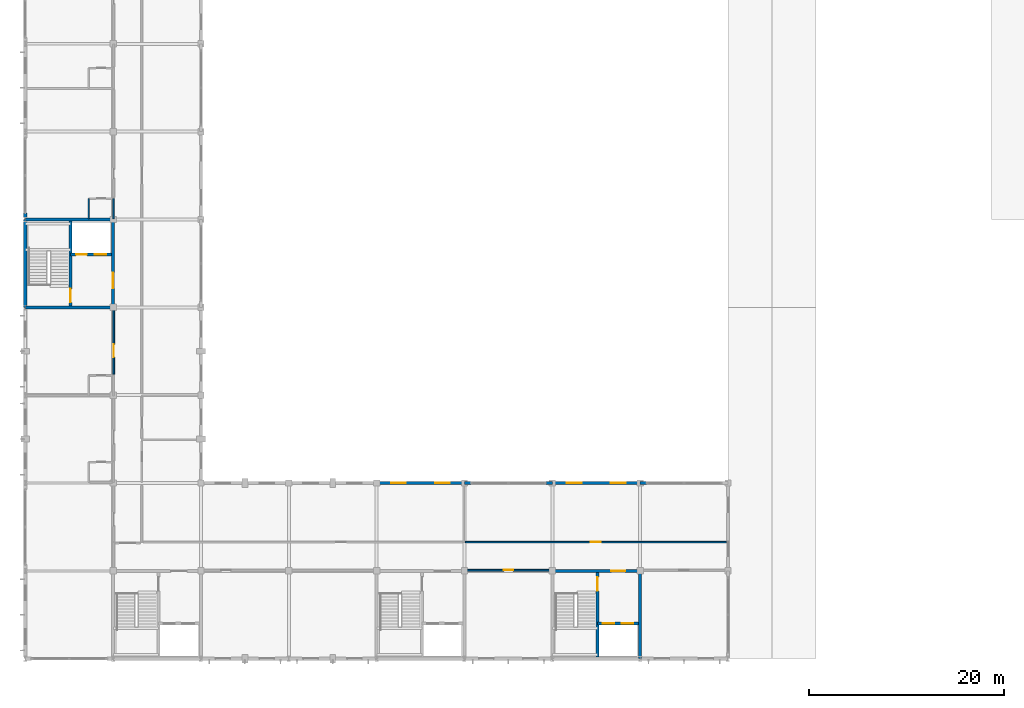
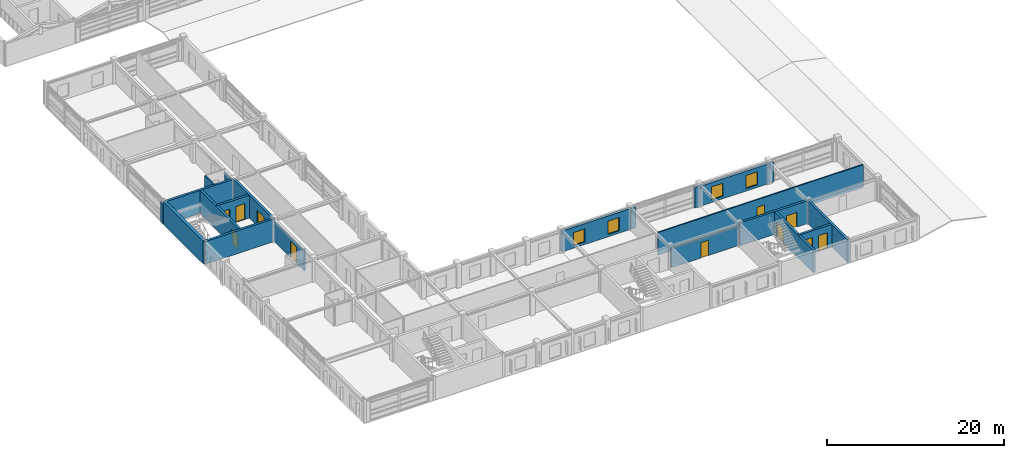
# One storey, part 72 of 91: 21 walls, 11 doors, 4 windows, 15 openings.
"""IFC4 building model written with IfcOpenShell, lengths in metres."""

from ifc_helpers import new_model, si_unit, direction, frame, frame_2d, origin, place, context, subcontext, project, spatial, rectangle, extrude, material, layer, layer_set, type_object, element, fill, save


model = new_model("IFC4")

# Units and contexts
model_context = context("Model", 3, precision=1e-05, world=origin(), true_north=direction((0.0, 1.0)))
body_context = subcontext(model_context, "Body", "Model", "MODEL_VIEW")
ifc_project = project(units=[si_unit("LENGTHUNIT", "METRE"), si_unit("AREAUNIT", "SQUARE_METRE"), si_unit("VOLUMEUNIT", "CUBIC_METRE"), si_unit("PLANEANGLEUNIT", "RADIAN"), si_unit("MASSUNIT", "GRAM", prefix="KILO")], contexts=[model_context])

# Site, building, storey
site_placement = place(None, origin())
site = spatial("IfcSite", under=ifc_project, at=site_placement, CompositionType="ELEMENT")
building_placement = place(site_placement, origin())
building = spatial("IfcBuilding", under=site, at=building_placement, Name="Palais des Congres Ocreval", CompositionType="ELEMENT")
storey_placement = place(building_placement, frame((0.0, 0.0, 8.159912109375)))
storey = spatial("IfcBuildingStorey", under=building, at=storey_placement, Name="L02", CompositionType="ELEMENT", Elevation=8.159912109375)

# Walls
ifc_material_1 = material(Name="Moisture-resistant gypsum board")
ifc_layer_1 = layer(ifc_material_1, 0.139892578125)
ifc_layer_set_1 = layer_set([ifc_layer_1], Name="Bathroom Plumbing Chase Wall 140 Gypsum (Moisture-resistant gypsum board)")
wall_type_1 = type_object("IfcWallType", Name="Bathroom Plumbing Chase Wall 140 Gypsum", PredefinedType="PLUMBINGWALL", material=ifc_layer_set_1)
wall_1_placement = place(storey_placement, frame((6.5, 45.070068359375, 0.0), z_axis=(0.0, 0.0, 1.0), x_axis=(0.0, 1.0, 0.0)))
element("IfcWall", 1, at=wall_1_placement, inside=storey, type_object=wall_type_1, Name="Bathroom Plumbing Wall PW03 L02", PredefinedType="PLUMBINGWALL", context=body_context, shape_type="SweptSolid", body=[
    extrude(rectangle(XDim=2.059814453125, YDim=0.139892578125, at=frame_2d((1.02978515625, 0.0))), origin(), (0.0, 0.0, 1.0), 3.14013671875),
])
ifc_material_2 = material(Name="Concrete C40/50", Category="concrete")
ifc_layer_2 = layer(ifc_material_2, 0.300048828125)
ifc_layer_set_2 = layer_set([ifc_layer_2], Name="Core Shear Wall 300 Concrete C40/50")
wall_type_2 = type_object("IfcWallType", Name="Core Shear Wall 300 Concrete C40/50", PredefinedType="SHEAR", material=ifc_layer_set_2)
wall_2_placement = place(storey_placement, frame((0.0, 36.0, 0.0), z_axis=(0.0, 0.0, 1.0), x_axis=(1.0, 0.0, 0.0)))
element("IfcWall", 2, at=wall_2_placement, inside=storey, type_object=wall_type_2, Name="Core Shear Wall SC03 L02 S", PredefinedType="SHEAR", context=body_context, shape_type="SweptSolid", body=[
    extrude(rectangle(XDim=9.0, YDim=0.300048828125, at=frame_2d((4.5, 0.0))), origin(), (0.0, 0.0, 1.0), 3.14013671875),
])

# Wall, opening, door
wall_3_placement = place(storey_placement, frame((9.0, 36.0, 0.0), z_axis=(0.0, 0.0, 1.0), x_axis=(0.0, 1.0, 0.0)))
wall_3 = element("IfcWall", 3, at=wall_3_placement, inside=storey, type_object=wall_type_2, Name="Core Shear Wall SC03 L02 E", PredefinedType="SHEAR", context=body_context, shape_type="SweptSolid", body=[
    extrude(rectangle(XDim=9.0, YDim=0.300048828125, at=frame_2d((4.5, 0.0))), origin(), (0.0, 0.0, 1.0), 3.14013671875),
])
opening_1_placement = place(wall_3_placement, frame((1.949951171875, 0.0, 0.0)))
opening_1 = element("IfcOpeningElement", 4, at=opening_1_placement, cuts=wall_3, Name="Opening D02", PredefinedType="OPENING", context=body_context, shape_type="SweptSolid", body=[
    extrude(rectangle(XDim=1.60009765625, YDim=2.10009765625, at=frame_2d((0.800048828125, 1.050048828125))), frame((0.0, 0.159912109375, 0.0), z_axis=(0.0, -1.0, 0.0), x_axis=(1.0, 0.0, 0.0)), (0.0, 0.0, 1.0), 0.320068359375),
])
ifc_material_3 = material(Name="Painted fire-rated steel", Category="steel")
door_type_1 = type_object("IfcDoorType", Name="Firefighting Lobby Rated Door 1600x2100", OperationType="NOTDEFINED", PredefinedType="DOOR", material=ifc_material_3)
door_1_placement = place(opening_1_placement, origin())
door_1 = element("IfcDoor", 5, at=door_1_placement, inside=storey, type_object=door_type_1, Name="Firefighting Lobby Entrance Door SC03 L02", OperationType="DOUBLE_DOOR_SINGLE_SWING", OverallHeight=2.10009765625, OverallWidth=1.60009765625, PredefinedType="DOOR", context=body_context, shape_type="SweptSolid", body=[
    extrude(rectangle(XDim=1.60009765625, YDim=2.10009765625, at=frame_2d((0.800048828125, 1.050048828125))), frame((0.0, 0.02490234375, 0.0), z_axis=(0.0, -1.0, 0.0), x_axis=(1.0, 0.0, 0.0)), (0.0, 0.0, 1.0), 0.050048828125),
])
fill(opening_1, door_1)

# Wall
wall_4_placement = place(storey_placement, frame((0.0, 45.0, 0.0), z_axis=(0.0, 0.0, 1.0), x_axis=(1.0, 0.0, 0.0)))
element("IfcWall", 6, at=wall_4_placement, inside=storey, type_object=wall_type_2, Name="Core Shear Wall SC03 L02 N", PredefinedType="SHEAR", context=body_context, shape_type="SweptSolid", body=[
    extrude(rectangle(XDim=9.0, YDim=0.300048828125, at=frame_2d((4.5, 0.0))), origin(), (0.0, 0.0, 1.0), 3.14013671875),
])

# Wall, opening, door
wall_5_placement = place(storey_placement, frame((4.64990234375, 36.14990234375, 0.0), z_axis=(0.0, 0.0, 1.0), x_axis=(0.0, 1.0, 0.0)))
wall_5 = element("IfcWall", 7, at=wall_5_placement, inside=storey, type_object=wall_type_2, Name="Core Spine Shear Wall SC03 L02", PredefinedType="SHEAR", context=body_context, shape_type="SweptSolid", body=[
    extrude(rectangle(XDim=8.7001953125, YDim=0.300048828125, at=frame_2d((4.35009765625, 0.0))), origin(), (0.0, 0.0, 1.0), 3.14013671875),
])
opening_2_placement = place(wall_5_placement, frame((0.35009765625, 0.0, 0.0)))
opening_2 = element("IfcOpeningElement", 8, at=opening_2_placement, cuts=wall_5, Name="Opening D03", PredefinedType="OPENING", context=body_context, shape_type="SweptSolid", body=[
    extrude(rectangle(XDim=1.39990234375, YDim=2.02001953125, at=frame_2d((0.699951171875, 1.010009765625))), frame((0.0, 0.159912109375, 0.0), z_axis=(0.0, -1.0, 0.0), x_axis=(1.0, 0.0, 0.0)), (0.0, 0.0, 1.0), 0.320068359375),
])
door_type_2 = type_object("IfcDoorType", Name="Core Lobby Rated Door 1400x2020", OperationType="NOTDEFINED", PredefinedType="DOOR", material=ifc_material_3)
door_2_placement = place(opening_2_placement, origin())
door_2 = element("IfcDoor", 9, at=door_2_placement, inside=storey, type_object=door_type_2, Name="Protected Exit Stair Door ST03 L02", OperationType="SINGLE_SWING_LEFT", OverallHeight=2.02001953125, OverallWidth=1.39990234375, PredefinedType="DOOR", context=body_context, shape_type="SweptSolid", body=[
    extrude(rectangle(XDim=1.39990234375, YDim=2.02001953125, at=frame_2d((0.699951171875, 1.010009765625))), frame((0.0, 0.02490234375, 0.0), z_axis=(0.0, -1.0, 0.0), x_axis=(1.0, 0.0, 0.0)), (0.0, 0.0, 1.0), 0.050048828125),
])
fill(opening_2, door_2)

# Wall, openings, doors
wall_6_placement = place(storey_placement, frame((4.64990234375, 41.39990234375, 0.0), z_axis=(0.0, 0.0, 1.0), x_axis=(1.0, 0.0, 0.0)))
wall_6 = element("IfcWall", 10, at=wall_6_placement, inside=storey, type_object=wall_type_2, Name="Lift Shaft Front Wall SC03 L02", PredefinedType="SHEAR", context=body_context, shape_type="SweptSolid", body=[
    extrude(rectangle(XDim=4.2001953125, YDim=0.300048828125, at=frame_2d((2.10009765625, 0.0))), origin(), (0.0, 0.0, 1.0), 3.14013671875),
])
opening_3_placement = place(wall_6_placement, frame((0.550048828125, 0.0, 0.0)))
opening_3 = element("IfcOpeningElement", 11, at=opening_3_placement, cuts=wall_6, Name="Opening LD01", PredefinedType="OPENING", context=body_context, shape_type="SweptSolid", body=[
    extrude(rectangle(XDim=1.10009765625, YDim=2.10009765625, at=frame_2d((0.550048828125, 1.050048828125))), frame((0.0, 0.159912109375, 0.0), z_axis=(0.0, -1.0, 0.0), x_axis=(1.0, 0.0, 0.0)), (0.0, 0.0, 1.0), 0.320068359375),
])
opening_4_placement = place(wall_6_placement, frame((2.449951171875, 0.0, 0.0)))
opening_4 = element("IfcOpeningElement", 12, at=opening_4_placement, cuts=wall_6, Name="Opening LD02", PredefinedType="OPENING", context=body_context, shape_type="SweptSolid", body=[
    extrude(rectangle(XDim=1.199951171875, YDim=2.199951171875, at=frame_2d((0.60009765625, 1.10009765625))), frame((0.0, 0.159912109375, 0.0), z_axis=(0.0, -1.0, 0.0), x_axis=(1.0, 0.0, 0.0)), (0.0, 0.0, 1.0), 0.320068359375),
])
ifc_material_4 = material(Name="Stainless steel", Category="steel")
door_type_3 = type_object("IfcDoorType", Name="Firefighting Lift Sliding Landing Door 1100x2100", OperationType="NOTDEFINED", PredefinedType="DOOR", material=ifc_material_4)
door_3_placement = place(opening_3_placement, origin())
door_3 = element("IfcDoor", 13, at=door_3_placement, inside=storey, type_object=door_type_3, Name="Lift Landing Sliding Door FF3 L02", OperationType="DOUBLE_DOOR_SLIDING", OverallHeight=2.10009765625, OverallWidth=1.10009765625, PredefinedType="DOOR", context=body_context, shape_type="SweptSolid", body=[
    extrude(rectangle(XDim=1.10009765625, YDim=2.10009765625, at=frame_2d((0.550048828125, 1.050048828125))), frame((0.0, 0.02490234375, 0.0), z_axis=(0.0, -1.0, 0.0), x_axis=(1.0, 0.0, 0.0)), (0.0, 0.0, 1.0), 0.050048828125),
])
fill(opening_3, door_3)
ifc_material_5 = material(Name="Anodized bronze steel", Category="steel")
door_type_4 = type_object("IfcDoorType", Name="Passenger and Service Lift Sliding Door 1200x2200", OperationType="NOTDEFINED", PredefinedType="DOOR", material=ifc_material_5)
door_4_placement = place(opening_4_placement, origin())
door_4 = element("IfcDoor", 14, at=door_4_placement, inside=storey, type_object=door_type_4, Name="Lift Landing Sliding Door PL3 L02", OperationType="DOUBLE_DOOR_SLIDING", OverallHeight=2.199951171875, OverallWidth=1.199951171875, PredefinedType="DOOR", context=body_context, shape_type="SweptSolid", body=[
    extrude(rectangle(XDim=1.199951171875, YDim=2.199951171875, at=frame_2d((0.60009765625, 1.10009765625))), frame((0.0, 0.02490234375, 0.0), z_axis=(0.0, -1.0, 0.0), x_axis=(1.0, 0.0, 0.0)), (0.0, 0.0, 1.0), 0.050048828125),
])
fill(opening_4, door_4)

# Wall
wall_7_placement = place(storey_placement, frame((63.0, 0.0, 0.0), z_axis=(0.0, 0.0, 1.0), x_axis=(0.0, 1.0, 0.0)))
element("IfcWall", 15, at=wall_7_placement, inside=storey, type_object=wall_type_2, Name="Core Shear Wall SC04 L02 E", PredefinedType="SHEAR", context=body_context, shape_type="SweptSolid", body=[
    extrude(rectangle(XDim=9.0, YDim=0.300048828125, at=frame_2d((4.5, 0.0))), origin(), (0.0, 0.0, 1.0), 3.14013671875),
])

# Wall, opening, door
wall_8_placement = place(storey_placement, frame((54.0, 9.0, 0.0), z_axis=(0.0, 0.0, 1.0), x_axis=(1.0, 0.0, 0.0)))
wall_8 = element("IfcWall", 16, at=wall_8_placement, inside=storey, type_object=wall_type_2, Name="Core Shear Wall SC04 L02 N", PredefinedType="SHEAR", context=body_context, shape_type="SweptSolid", body=[
    extrude(rectangle(XDim=9.0, YDim=0.300048828125, at=frame_2d((4.5, 0.0))), origin(), (0.0, 0.0, 1.0), 3.14013671875),
])
opening_5_placement = place(wall_8_placement, frame((6.050048828125, 0.0, 0.0)))
opening_5 = element("IfcOpeningElement", 17, at=opening_5_placement, cuts=wall_8, Name="Opening D03", PredefinedType="OPENING", context=body_context, shape_type="SweptSolid", body=[
    extrude(rectangle(XDim=1.39990234375, YDim=2.02001953125, at=frame_2d((0.699951171875, 1.010009765625))), frame((0.0, 0.159912109375, 0.0), z_axis=(0.0, -1.0, 0.0), x_axis=(1.0, 0.0, 0.0)), (0.0, 0.0, 1.0), 0.320068359375),
])
door_5_placement = place(opening_5_placement, origin())
door_5 = element("IfcDoor", 18, at=door_5_placement, inside=storey, type_object=door_type_2, Name="Lobby Entrance Door SC04 L02", OperationType="DOUBLE_DOOR_SINGLE_SWING", OverallHeight=2.02001953125, OverallWidth=1.39990234375, PredefinedType="DOOR", context=body_context, shape_type="SweptSolid", body=[
    extrude(rectangle(XDim=1.39990234375, YDim=2.02001953125, at=frame_2d((0.699951171875, 1.010009765625))), frame((0.0, 0.02490234375, 0.0), z_axis=(0.0, -1.0, 0.0), x_axis=(1.0, 0.0, 0.0)), (0.0, 0.0, 1.0), 0.050048828125),
])
fill(opening_5, door_5)

wall_9_placement = place(storey_placement, frame((58.64990234375, 0.14990234375, 0.0), z_axis=(0.0, 0.0, 1.0), x_axis=(0.0, 1.0, 0.0)))
wall_9 = element("IfcWall", 19, at=wall_9_placement, inside=storey, type_object=wall_type_2, Name="Core Spine Shear Wall SC04 L02", PredefinedType="SHEAR", context=body_context, shape_type="SweptSolid", body=[
    extrude(rectangle(XDim=8.7001953125, YDim=0.300048828125, at=frame_2d((4.35009765625, 0.0))), origin(), (0.0, 0.0, 1.0), 3.14013671875),
])
opening_6_placement = place(wall_9_placement, frame((6.800048828125, 0.0, 0.0)))
opening_6 = element("IfcOpeningElement", 20, at=opening_6_placement, cuts=wall_9, Name="Opening D03", PredefinedType="OPENING", context=body_context, shape_type="SweptSolid", body=[
    extrude(rectangle(XDim=1.39990234375, YDim=2.02001953125, at=frame_2d((0.699951171875, 1.010009765625))), frame((0.0, 0.159912109375, 0.0), z_axis=(0.0, -1.0, 0.0), x_axis=(1.0, 0.0, 0.0)), (0.0, 0.0, 1.0), 0.320068359375),
])
door_6_placement = place(opening_6_placement, origin())
door_6 = element("IfcDoor", 21, at=door_6_placement, inside=storey, type_object=door_type_2, Name="Protected Exit Stair Door ST04 L02", OperationType="SINGLE_SWING_RIGHT", OverallHeight=2.02001953125, OverallWidth=1.39990234375, PredefinedType="DOOR", context=body_context, shape_type="SweptSolid", body=[
    extrude(rectangle(XDim=1.39990234375, YDim=2.02001953125, at=frame_2d((0.699951171875, 1.010009765625))), frame((0.0, 0.02490234375, 0.0), z_axis=(0.0, -1.0, 0.0), x_axis=(1.0, 0.0, 0.0)), (0.0, 0.0, 1.0), 0.050048828125),
])
fill(opening_6, door_6)

# Wall, openings, doors
wall_10_placement = place(storey_placement, frame((58.64990234375, 3.60009765625, 0.0), z_axis=(0.0, 0.0, 1.0), x_axis=(1.0, 0.0, 0.0)))
wall_10 = element("IfcWall", 22, at=wall_10_placement, inside=storey, type_object=wall_type_2, Name="Lift Shaft Front Wall SC04 L02", PredefinedType="SHEAR", context=body_context, shape_type="SweptSolid", body=[
    extrude(rectangle(XDim=4.2001953125, YDim=0.300048828125, at=frame_2d((2.10009765625, 0.0))), origin(), (0.0, 0.0, 1.0), 3.14013671875),
])
opening_7_placement = place(wall_10_placement, frame((0.5, 0.0, 0.0)))
opening_7 = element("IfcOpeningElement", 23, at=opening_7_placement, cuts=wall_10, Name="Opening LD02", PredefinedType="OPENING", context=body_context, shape_type="SweptSolid", body=[
    extrude(rectangle(XDim=1.199951171875, YDim=2.199951171875, at=frame_2d((0.60009765625, 1.10009765625))), frame((0.0, 0.159912109375, 0.0), z_axis=(0.0, -1.0, 0.0), x_axis=(1.0, 0.0, 0.0)), (0.0, 0.0, 1.0), 0.320068359375),
])
opening_8_placement = place(wall_10_placement, frame((2.449951171875, 0.0, 0.0)))
opening_8 = element("IfcOpeningElement", 24, at=opening_8_placement, cuts=wall_10, Name="Opening LD02", PredefinedType="OPENING", context=body_context, shape_type="SweptSolid", body=[
    extrude(rectangle(XDim=1.199951171875, YDim=2.199951171875, at=frame_2d((0.60009765625, 1.10009765625))), frame((0.0, 0.159912109375, 0.0), z_axis=(0.0, -1.0, 0.0), x_axis=(1.0, 0.0, 0.0)), (0.0, 0.0, 1.0), 0.320068359375),
])
door_7_placement = place(opening_7_placement, origin())
door_7 = element("IfcDoor", 25, at=door_7_placement, inside=storey, type_object=door_type_4, Name="Lift Landing Sliding Door PL4 L02", OperationType="DOUBLE_DOOR_SLIDING", OverallHeight=2.199951171875, OverallWidth=1.199951171875, PredefinedType="DOOR", context=body_context, shape_type="SweptSolid", body=[
    extrude(rectangle(XDim=1.199951171875, YDim=2.199951171875, at=frame_2d((0.60009765625, 1.10009765625))), frame((0.0, 0.02490234375, 0.0), z_axis=(0.0, -1.0, 0.0), x_axis=(1.0, 0.0, 0.0)), (0.0, 0.0, 1.0), 0.050048828125),
])
fill(opening_7, door_7)
door_8_placement = place(opening_8_placement, origin())
door_8 = element("IfcDoor", 26, at=door_8_placement, inside=storey, type_object=door_type_4, Name="Lift Landing Sliding Door BL1 L02", OperationType="DOUBLE_DOOR_SLIDING", OverallHeight=2.199951171875, OverallWidth=1.199951171875, PredefinedType="DOOR", context=body_context, shape_type="SweptSolid", body=[
    extrude(rectangle(XDim=1.199951171875, YDim=2.199951171875, at=frame_2d((0.60009765625, 1.10009765625))), frame((0.0, 0.02490234375, 0.0), z_axis=(0.0, -1.0, 0.0), x_axis=(1.0, 0.0, 0.0)), (0.0, 0.0, 1.0), 0.050048828125),
])
fill(opening_8, door_8)

# Wall
ifc_material_6 = material(Name="Gypsum acoustic partition")
ifc_layer_3 = layer(ifc_material_6, 0.159912109375)
ifc_layer_set_3 = layer_set([ifc_layer_3], Name="Corridor Fire Partition 160 Gypsum (Gypsum acoustic partition)")
wall_type_3 = type_object("IfcWallType", Name="Corridor Fire Partition 160 Gypsum", PredefinedType="PARTITIONING", material=ifc_layer_set_3)
wall_11_placement = place(storey_placement, frame((9.06005859375, 45.070068359375, 0.0), z_axis=(0.0, 0.0, 1.0), x_axis=(0.0, 1.0, 0.0)))
element("IfcWall", 27, at=wall_11_placement, inside=storey, type_object=wall_type_3, Name="Corridor Partition IW03 L02", PredefinedType="PARTITIONING", context=body_context, shape_type="SweptSolid", body=[
    extrude(rectangle(XDim=2.059814453125, YDim=0.159912109375, at=frame_2d((1.02978515625, 0.0))), origin(), (0.0, 0.0, 1.0), 2.66015625),
])

# Wall, opening, door
wall_12_placement = place(storey_placement, frame((45.155029296875, 9.06494140625, 0.0), z_axis=(0.0, 0.0, 1.0), x_axis=(1.0, 0.0, 0.0)))
wall_12 = element("IfcWall", 28, at=wall_12_placement, inside=storey, type_object=wall_type_3, Name="Interior Partition IW03 L02", PredefinedType="PARTITIONING", context=body_context, shape_type="SweptSolid", body=[
    extrude(rectangle(XDim=8.68994140625, YDim=0.159912109375, at=frame_2d((4.344970703125, 0.0))), origin(), (0.0, 0.0, 1.0), 2.66015625),
])
opening_9_placement = place(wall_12_placement, frame((3.844970703125, 0.0, 0.0)))
opening_9 = element("IfcOpeningElement", 29, at=opening_9_placement, cuts=wall_12, Name="Opening D10", PredefinedType="OPENING", context=body_context, shape_type="SweptSolid", body=[
    extrude(rectangle(XDim=1.0, YDim=2.10009765625, at=frame_2d((0.5, 1.050048828125))), frame((0.0, 0.08984375, 0.0), z_axis=(0.0, -1.0, 0.0), x_axis=(1.0, 0.0, 0.0)), (0.0, 0.0, 1.0), 0.179931640625),
])
ifc_material_7 = material(Name="Painted steel", Category="steel")
door_type_5 = type_object("IfcDoorType", Name="Service and Pantry Door 1000x2100", OperationType="NOTDEFINED", PredefinedType="DOOR", material=ifc_material_7)
door_9_placement = place(opening_9_placement, origin())
door_9 = element("IfcDoor", 30, at=door_9_placement, inside=storey, type_object=door_type_5, Name="Interior Door D10 L02", OperationType="SINGLE_SWING_LEFT", OverallHeight=2.10009765625, OverallWidth=1.0, PredefinedType="DOOR", context=body_context, shape_type="SweptSolid", body=[
    extrude(rectangle(XDim=1.0, YDim=2.10009765625, at=frame_2d((0.5, 1.050048828125))), frame((0.0, 0.02490234375, 0.0), z_axis=(0.0, -1.0, 0.0), x_axis=(1.0, 0.0, 0.0)), (0.0, 0.0, 1.0), 0.050048828125),
])
fill(opening_9, door_9)

wall_13_placement = place(storey_placement, frame((45.090087890625, 11.93505859375, 0.0), z_axis=(0.0, 0.0, 1.0), x_axis=(1.0, 0.0, 0.0)))
wall_13 = element("IfcWall", 31, at=wall_13_placement, inside=storey, type_object=wall_type_3, Name="Interior Partition IW03 L02", PredefinedType="PARTITIONING", context=body_context, shape_type="SweptSolid", body=[
    extrude(rectangle(XDim=26.73486328125, YDim=0.159912109375, at=frame_2d((13.367431640625, 0.0))), origin(), (0.0, 0.0, 1.0), 3.14013671875),
])
opening_10_placement = place(wall_13_placement, frame((12.867431640625, 0.0, 0.0)))
opening_10 = element("IfcOpeningElement", 32, at=opening_10_placement, cuts=wall_13, Name="Opening D10", PredefinedType="OPENING", context=body_context, shape_type="SweptSolid", body=[
    extrude(rectangle(XDim=1.0, YDim=2.10009765625, at=frame_2d((0.5, 1.050048828125))), frame((0.0, 0.08984375, 0.0), z_axis=(0.0, -1.0, 0.0), x_axis=(1.0, 0.0, 0.0)), (0.0, 0.0, 1.0), 0.179931640625),
])
door_10_placement = place(opening_10_placement, origin())
door_10 = element("IfcDoor", 33, at=door_10_placement, inside=storey, type_object=door_type_5, Name="Interior Door D10 L02", OperationType="SINGLE_SWING_RIGHT", OverallHeight=2.10009765625, OverallWidth=1.0, PredefinedType="DOOR", context=body_context, shape_type="SweptSolid", body=[
    extrude(rectangle(XDim=1.0, YDim=2.10009765625, at=frame_2d((0.5, 1.050048828125))), frame((0.0, 0.02490234375, 0.0), z_axis=(0.0, -1.0, 0.0), x_axis=(1.0, 0.0, 0.0)), (0.0, 0.0, 1.0), 0.050048828125),
])
fill(opening_10, door_10)

wall_14_placement = place(storey_placement, frame((9.06494140625, 29.155029296875, 0.0), z_axis=(0.0, 0.0, 1.0), x_axis=(0.0, 1.0, 0.0)))
wall_14 = element("IfcWall", 34, at=wall_14_placement, inside=storey, type_object=wall_type_3, Name="Interior Partition IW03 L02", PredefinedType="PARTITIONING", context=body_context, shape_type="SweptSolid", body=[
    extrude(rectangle(XDim=6.68994140625, YDim=0.159912109375, at=frame_2d((3.344970703125, 0.0))), origin(), (0.0, 0.0, 1.0), 2.77001953125),
])
opening_11_placement = place(wall_14_placement, frame((1.75, 0.0, 0.0)))
opening_11 = element("IfcOpeningElement", 35, at=opening_11_placement, cuts=wall_14, Name="Opening D07", PredefinedType="OPENING", context=body_context, shape_type="SweptSolid", body=[
    extrude(rectangle(XDim=1.300048828125, YDim=2.25, at=frame_2d((0.64990234375, 1.125))), frame((0.0, 0.08984375, 0.0), z_axis=(0.0, -1.0, 0.0), x_axis=(1.0, 0.0, 0.0)), (0.0, 0.0, 1.0), 0.179931640625),
])
ifc_material_8 = material(Name="Solid French oak", Category="wood")
door_type_6 = type_object("IfcDoorType", Name="Luxury Suite Double Door 1300x2250", OperationType="NOTDEFINED", PredefinedType="DOOR", material=ifc_material_8)
door_11_placement = place(opening_11_placement, origin())
door_11 = element("IfcDoor", 36, at=door_11_placement, inside=storey, type_object=door_type_6, Name="Interior Door D07 L02", OperationType="DOUBLE_DOOR_SINGLE_SWING", OverallHeight=2.25, OverallWidth=1.300048828125, PredefinedType="DOOR", context=body_context, shape_type="SweptSolid", body=[
    extrude(rectangle(XDim=1.300048828125, YDim=2.25, at=frame_2d((0.64990234375, 1.125))), frame((0.0, 0.02490234375, 0.0), z_axis=(0.0, -1.0, 0.0), x_axis=(1.0, 0.0, 0.0)), (0.0, 0.0, 1.0), 0.050048828125),
])
fill(opening_11, door_11)

# Walls
ifc_layer_4 = layer(ifc_material_2, 0.3798828125)
ifc_layer_set_4 = layer_set([ifc_layer_4], Name="Lutetian Limestone Street Wall 380 Concrete C40/50")
wall_type_4 = type_object("IfcWallType", Name="Lutetian Limestone Street Wall 380 Concrete C40/50", PredefinedType="SOLIDWALL", material=ifc_layer_set_4)
wall_15_placement = place(storey_placement, frame((0.0, 36.0, 0.0), z_axis=(0.0, 0.0, 1.0), x_axis=(0.0, 1.0, 0.0)))
element("IfcWall", 37, at=wall_15_placement, inside=storey, type_object=wall_type_4, Name="Core Perimeter Shear Wall EW03 SC03 L02", PredefinedType="SOLIDWALL", context=body_context, shape_type="SweptSolid", body=[
    extrude(rectangle(XDim=9.0, YDim=0.3798828125, at=frame_2d((4.5, 0.0))), origin(), (0.0, 0.0, 1.0), 3.14013671875),
])
ifc_layer_5 = layer(ifc_material_2, 0.340087890625)
ifc_layer_set_5 = layer_set([ifc_layer_5], Name="Ochre Mineral-Lime Courtyard Wall 340 Concrete C40/50")
wall_type_5 = type_object("IfcWallType", Name="Ochre Mineral-Lime Courtyard Wall 340 Concrete C40/50", PredefinedType="SOLIDWALL", material=ifc_layer_set_5)
wall_16_placement = place(storey_placement, frame((0.0, 45.1298828125, 0.0), z_axis=(0.0, 0.0, 1.0), x_axis=(0.0, 1.0, 0.0)))
element("IfcWall", 38, at=wall_16_placement, inside=storey, type_object=wall_type_5, Name="Facade Pier EW04 L02", PredefinedType="SOLIDWALL", context=body_context, shape_type="SweptSolid", body=[
    extrude(rectangle(XDim=0.52001953125, YDim=0.340087890625, at=frame_2d((0.260009765625, 0.0))), origin(), (0.0, 0.0, 1.0), 2.739990234375),
])

# Wall, openings, windows
wall_17_placement = place(storey_placement, frame((36.0, 18.0, 0.0), z_axis=(0.0, 0.0, 1.0), x_axis=(1.0, 0.0, 0.0)))
wall_17 = element("IfcWall", 39, at=wall_17_placement, inside=storey, type_object=wall_type_5, Name="Exterior Wall EW04 L02", PredefinedType="SOLIDWALL", context=body_context, shape_type="SweptSolid", body=[
    extrude(rectangle(XDim=9.0, YDim=0.340087890625, at=frame_2d((4.5, 0.0))), origin(), (0.0, 0.0, 1.0), 2.8701171875),
])
opening_12_placement = place(wall_17_placement, frame((1.5, 0.0, 0.35009765625)))
opening_12 = element("IfcOpeningElement", 40, at=opening_12_placement, cuts=wall_17, Name="Opening WN06", PredefinedType="OPENING", context=body_context, shape_type="SweptSolid", body=[
    extrude(rectangle(XDim=1.5, YDim=1.800048828125, at=frame_2d((0.75, 0.89990234375))), frame((0.0, 0.179931640625, 0.0), z_axis=(0.0, -1.0, 0.0), x_axis=(1.0, 0.0, 0.0)), (0.0, 0.0, 1.0), 0.360107421875),
])
opening_13_placement = place(wall_17_placement, frame((6.0, 0.0, 0.35009765625)))
opening_13 = element("IfcOpeningElement", 41, at=opening_13_placement, cuts=wall_17, Name="Opening WN06", PredefinedType="OPENING", context=body_context, shape_type="SweptSolid", body=[
    extrude(rectangle(XDim=1.5, YDim=1.800048828125, at=frame_2d((0.75, 0.89990234375))), frame((0.0, 0.179931640625, 0.0), z_axis=(0.0, -1.0, 0.0), x_axis=(1.0, 0.0, 0.0)), (0.0, 0.0, 1.0), 0.360107421875),
])
ifc_material_9 = material(Name="Anodized bronze aluminium and low-E glass", Category="glass")
window_type = type_object("IfcWindowType", Name="Upper Setback Window 1500x1800", PartitioningType="SINGLE_PANEL", PredefinedType="WINDOW", material=ifc_material_9)
window_1_placement = place(opening_12_placement, origin())
window_1 = element("IfcWindow", 42, at=window_1_placement, inside=storey, type_object=window_type, Name="Hotel Facade Window WN06", OverallHeight=1.800048828125, OverallWidth=1.5, PartitioningType="SINGLE_PANEL", PredefinedType="WINDOW", context=body_context, shape_type="SweptSolid", body=[
    extrude(rectangle(XDim=1.5, YDim=1.800048828125, at=frame_2d((0.75, 0.89990234375))), frame((0.0, 0.030029296875, 0.0), z_axis=(0.0, -1.0, 0.0), x_axis=(1.0, 0.0, 0.0)), (0.0, 0.0, 1.0), 0.06005859375),
])
fill(opening_12, window_1)
window_2_placement = place(opening_13_placement, origin())
window_2 = element("IfcWindow", 43, at=window_2_placement, inside=storey, type_object=window_type, Name="Hotel Facade Window WN06", OverallHeight=1.800048828125, OverallWidth=1.5, PartitioningType="SINGLE_PANEL", PredefinedType="WINDOW", context=body_context, shape_type="SweptSolid", body=[
    extrude(rectangle(XDim=1.5, YDim=1.800048828125, at=frame_2d((0.75, 0.89990234375))), frame((0.0, 0.030029296875, 0.0), z_axis=(0.0, -1.0, 0.0), x_axis=(1.0, 0.0, 0.0)), (0.0, 0.0, 1.0), 0.06005859375),
])
fill(opening_13, window_2)

# Walls
for number, where, z_axis, x_axis, name in (
    (44, (45.0, 18.0, 0.0), (0.0, 0.0, 1.0), (1.0, 0.0, 0.0), "Facade Pier EW04 L02"),
    (45, (53.35009765625, 18.0, 0.0), (0.0, 0.0, 1.0), (1.0, 0.0, 0.0), "Facade Pier EW04 L02"),
):
    element("IfcWall", number, at=place(storey_placement, frame(where, z_axis=z_axis, x_axis=x_axis)), inside=storey, type_object=wall_type_5, Name=name, PredefinedType="SOLIDWALL", context=body_context, shape_type="SweptSolid", body=[
        extrude(rectangle(XDim=0.64990234375, YDim=0.340087890625, at=frame_2d((0.324951171875, 0.0))), origin(), (0.0, 0.0, 1.0), 2.800048828125),
    ])

# Wall, openings, windows
wall_18_placement = place(storey_placement, frame((54.0, 18.0, 0.0), z_axis=(0.0, 0.0, 1.0), x_axis=(1.0, 0.0, 0.0)))
wall_18 = element("IfcWall", 46, at=wall_18_placement, inside=storey, type_object=wall_type_5, Name="Exterior Wall EW04 L02", PredefinedType="SOLIDWALL", context=body_context, shape_type="SweptSolid", body=[
    extrude(rectangle(XDim=9.0, YDim=0.340087890625, at=frame_2d((4.5, 0.0))), origin(), (0.0, 0.0, 1.0), 2.739990234375),
])
opening_14_placement = place(wall_18_placement, frame((1.5, 0.0, 0.35009765625)))
opening_14 = element("IfcOpeningElement", 47, at=opening_14_placement, cuts=wall_18, Name="Opening WN06", PredefinedType="OPENING", context=body_context, shape_type="SweptSolid", body=[
    extrude(rectangle(XDim=1.5, YDim=1.800048828125, at=frame_2d((0.75, 0.89990234375))), frame((0.0, 0.179931640625, 0.0), z_axis=(0.0, -1.0, 0.0), x_axis=(1.0, 0.0, 0.0)), (0.0, 0.0, 1.0), 0.360107421875),
])
opening_15_placement = place(wall_18_placement, frame((6.0, 0.0, 0.35009765625)))
opening_15 = element("IfcOpeningElement", 48, at=opening_15_placement, cuts=wall_18, Name="Opening WN06", PredefinedType="OPENING", context=body_context, shape_type="SweptSolid", body=[
    extrude(rectangle(XDim=1.5, YDim=1.800048828125, at=frame_2d((0.75, 0.89990234375))), frame((0.0, 0.179931640625, 0.0), z_axis=(0.0, -1.0, 0.0), x_axis=(1.0, 0.0, 0.0)), (0.0, 0.0, 1.0), 0.360107421875),
])
window_3_placement = place(opening_14_placement, origin())
window_3 = element("IfcWindow", 49, at=window_3_placement, inside=storey, type_object=window_type, Name="Hotel Facade Window WN06", OverallHeight=1.800048828125, OverallWidth=1.5, PartitioningType="SINGLE_PANEL", PredefinedType="WINDOW", context=body_context, shape_type="SweptSolid", body=[
    extrude(rectangle(XDim=1.5, YDim=1.800048828125, at=frame_2d((0.75, 0.89990234375))), frame((0.0, 0.030029296875, 0.0), z_axis=(0.0, -1.0, 0.0), x_axis=(1.0, 0.0, 0.0)), (0.0, 0.0, 1.0), 0.06005859375),
])
fill(opening_14, window_3)
window_4_placement = place(opening_15_placement, origin())
window_4 = element("IfcWindow", 50, at=window_4_placement, inside=storey, type_object=window_type, Name="Hotel Facade Window WN06", OverallHeight=1.800048828125, OverallWidth=1.5, PartitioningType="SINGLE_PANEL", PredefinedType="WINDOW", context=body_context, shape_type="SweptSolid", body=[
    extrude(rectangle(XDim=1.5, YDim=1.800048828125, at=frame_2d((0.75, 0.89990234375))), frame((0.0, 0.030029296875, 0.0), z_axis=(0.0, -1.0, 0.0), x_axis=(1.0, 0.0, 0.0)), (0.0, 0.0, 1.0), 0.06005859375),
])
fill(opening_15, window_4)

# Wall
wall_19_placement = place(storey_placement, frame((63.0, 18.0, 0.0), z_axis=(0.0, 0.0, 1.0), x_axis=(1.0, 0.0, 0.0)))
element("IfcWall", 51, at=wall_19_placement, inside=storey, type_object=wall_type_5, Name="Facade Pier EW04 L02", PredefinedType="SOLIDWALL", context=body_context, shape_type="SweptSolid", body=[
    extrude(rectangle(XDim=0.64990234375, YDim=0.340087890625, at=frame_2d((0.324951171875, 0.0))), origin(), (0.0, 0.0, 1.0), 2.7001953125),
])

save(model, "model.ifc")
